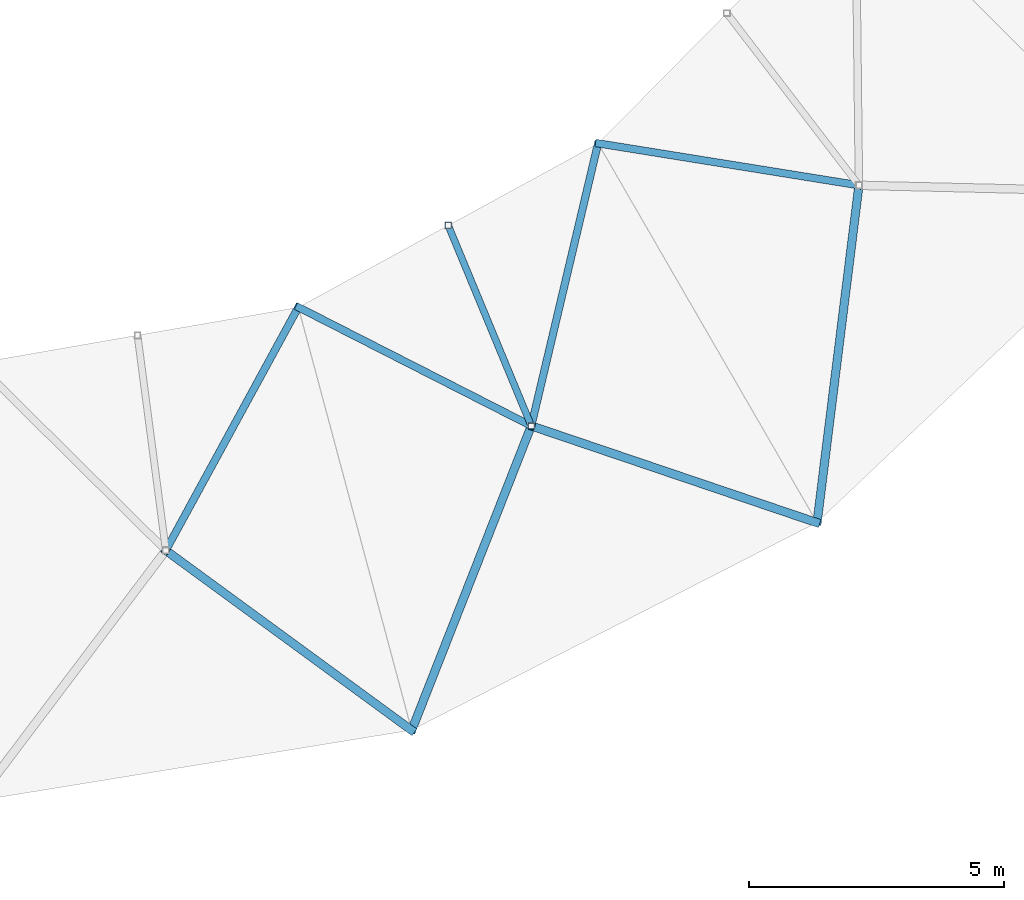
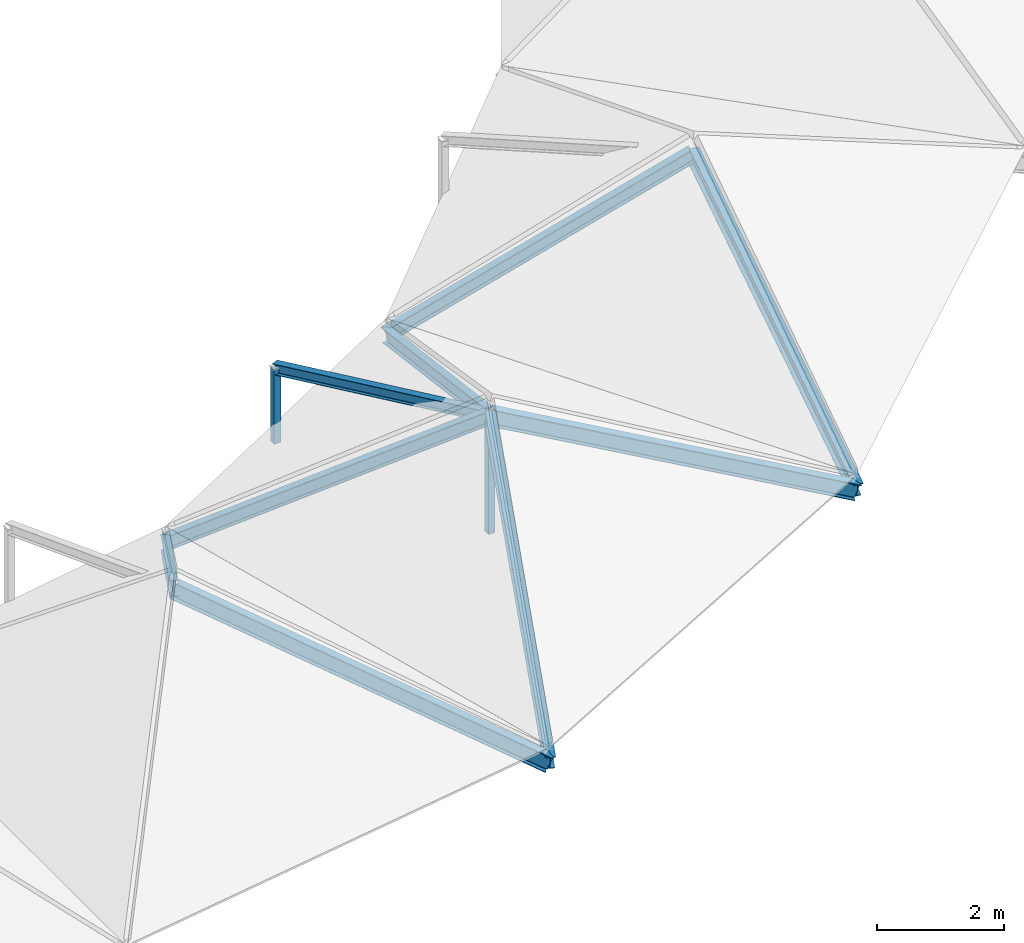
# One storey, part 15 of 66: 11 members.
"""IFC4 building model written with IfcOpenShell, lengths in metres."""

from ifc_helpers import new_model, si_unit, direction, frame, origin, origin_2d, place, context, subcontext, project, spatial, hollow_rectangle, i_section, extrude, material, material_profile, profile_set, type_object, element, save


model = new_model("IFC4")

# Units and contexts
model_context = context("Model", 3, precision=1e-05, world=origin(), true_north=direction((0.0, 1.0)))
body_context = subcontext(model_context, "Body", "Model", "MODEL_VIEW")
ifc_project = project(units=[si_unit("LENGTHUNIT", "METRE"), si_unit("AREAUNIT", "SQUARE_METRE"), si_unit("VOLUMEUNIT", "CUBIC_METRE"), si_unit("PLANEANGLEUNIT", "RADIAN"), si_unit("MASSUNIT", "GRAM", prefix="KILO")], contexts=[model_context])

# Site, building, storey
site_placement = place(None, origin())
site = spatial("IfcSite", under=ifc_project, at=site_placement, CompositionType="ELEMENT")
building_placement = place(site_placement, origin())
building = spatial("IfcBuilding", under=site, at=building_placement, Name="Karori Crest Natural Sciences Institute", CompositionType="ELEMENT")
storey_placement = place(building_placement, frame((0.0, 0.0, 30.10009765625)))
storey = spatial("IfcBuildingStorey", under=building, at=storey_placement, Name="L07", CompositionType="ELEMENT", Elevation=30.10009765625)

# Members
ifc_material_1 = material(Name="Structural steel AS/NZS 3679.1 Grade 350", Category="steel")
ifc_material_profile_1 = material_profile(ifc_material_1, i_section(OverallWidth=0.166015625, OverallDepth=0.306884765625, WebThickness=0.006591796875, FlangeThickness=0.01171875, FilletRadius=0.010986328125, at=origin_2d()), Name="310UB46.2")
ifc_profile_set_1 = profile_set([ifc_material_profile_1], Name="Structural steel AS/NZS 3679.1 Grade 350")
member_type_1 = type_object("IfcMemberType", Name="MT-06", PredefinedType="RAFTER", material=ifc_profile_set_1)
member_1_placement = place(storey_placement, frame((74.94091796875, 10.490234375, -0.260009765625), z_axis=(-0.725568713508, 0.530882454585, 0.437851414742), x_axis=(-0.590494431951, -0.807041712574, 0.0)))
element("IfcMember", 1, at=member_1_placement, inside=storey, type_object=member_type_1, Name="Member M-0158", PredefinedType="RAFTER", context=body_context, shape_type="SweptSolid", body=[
    extrude(i_section(OverallWidth=0.166015625, OverallDepth=0.306884765625, WebThickness=0.006591796875, FlangeThickness=0.01171875, FilletRadius=0.010986328125, at=origin_2d()), origin(), (0.0, 0.0, 1.0), 6.652587890625),
])
member_2_placement = place(storey_placement, frame((74.94091796875, 10.490234375, -0.260009765625), z_axis=(0.344976830862, 0.878044585102, 0.33170573215), x_axis=(-0.930740401966, 0.365680604008, 0.0)))
element("IfcMember", 2, at=member_2_placement, inside=storey, type_object=member_type_1, Name="Member M-0164", PredefinedType="RAFTER", context=body_context, shape_type="SweptSolid", body=[
    extrude(i_section(OverallWidth=0.166015625, OverallDepth=0.306884765625, WebThickness=0.006591796875, FlangeThickness=0.01171875, FilletRadius=0.010986328125, at=origin_2d()), origin(), (0.0, 0.0, 1.0), 6.806640625),
])
member_3_placement = place(storey_placement, frame((82.89990234375, 14.566162109375, -0.260009765625), z_axis=(-0.885033959526, 0.299799381033, 0.35613932894), x_axis=(-0.320835655938, -0.94713488051, 0.0)))
element("IfcMember", 3, at=member_3_placement, inside=storey, type_object=member_type_1, Name="Member M-0165", PredefinedType="RAFTER", context=body_context, shape_type="SweptSolid", body=[
    extrude(i_section(OverallWidth=0.166015625, OverallDepth=0.306884765625, WebThickness=0.006591796875, FlangeThickness=0.01171875, FilletRadius=0.010986328125, at=origin_2d()), origin(), (0.0, 0.0, 1.0), 6.339599609375),
])
member_4_placement = place(storey_placement, frame((82.89990234375, 14.566162109375, -0.260009765625), z_axis=(0.11699123615, 0.942774936279, 0.3122314369), x_axis=(-0.992388330701, 0.123147883001, 0.0)))
element("IfcMember", 4, at=member_4_placement, inside=storey, type_object=member_type_1, Name="Member M-0171", PredefinedType="RAFTER", context=body_context, shape_type="SweptSolid", body=[
    extrude(i_section(OverallWidth=0.166015625, OverallDepth=0.306884765625, WebThickness=0.006591796875, FlangeThickness=0.01171875, FilletRadius=0.010986328125, at=origin_2d()), origin(), (0.0, 0.0, 1.0), 7.0263671875),
])
ifc_material_profile_2 = material_profile(ifc_material_1, i_section(OverallWidth=0.14599609375, OverallDepth=0.256103515625, WebThickness=0.00634765625, FlangeThickness=0.010986328125, FilletRadius=0.009033203125, at=origin_2d()), Name="250UB37.3")
ifc_profile_set_2 = profile_set([ifc_material_profile_2], Name="Structural steel AS/NZS 3679.1 Grade 350")
member_type_2 = type_object("IfcMemberType", Name="MT-07", PredefinedType="RAFTER", material=ifc_profile_set_2)
member_5_placement = place(storey_placement, frame((72.715087890625, 18.797119140625, -0.260009765625), z_axis=(-0.421660118064, -0.77409895337, 0.472200757332), x_axis=(0.878169967294, -0.478348731098, 0.0)))
element("IfcMember", 5, at=member_5_placement, inside=storey, type_object=member_type_2, Name="Member M-0160", PredefinedType="RAFTER", context=body_context, shape_type="SweptSolid", body=[
    extrude(i_section(OverallWidth=0.14599609375, OverallDepth=0.256103515625, WebThickness=0.00634765625, FlangeThickness=0.010986328125, FilletRadius=0.009033203125, at=origin_2d()), origin(), (0.0, 0.0, 1.0), 6.168701171875),
])
member_6_placement = place(storey_placement, frame((72.715087890625, 18.797119140625, -0.260009765625), z_axis=(0.815619919241, -0.41553734343, 0.402607580098), x_axis=(0.453954279176, 0.89102497856, 0.0)))
element("IfcMember", 6, at=member_6_placement, inside=storey, type_object=member_type_2, Name="Member M-0166", PredefinedType="RAFTER", context=body_context, shape_type="SweptSolid", body=[
    extrude(i_section(OverallWidth=0.14599609375, OverallDepth=0.256103515625, WebThickness=0.00634765625, FlangeThickness=0.010986328125, FilletRadius=0.009033203125, at=origin_2d()), origin(), (0.0, 0.0, 1.0), 5.60791015625),
])
member_7_placement = place(storey_placement, frame((78.60009765625, 22.013916015625, -0.260009765625), z_axis=(-0.213843055904, -0.904791075083, 0.368271989013), x_axis=(0.973188622273, -0.230008490014, 0.0)))
element("IfcMember", 7, at=member_7_placement, inside=storey, type_object=member_type_2, Name="Member M-0167", PredefinedType="RAFTER", context=body_context, shape_type="SweptSolid", body=[
    extrude(i_section(OverallWidth=0.14599609375, OverallDepth=0.256103515625, WebThickness=0.00634765625, FlangeThickness=0.010986328125, FilletRadius=0.009033203125, at=origin_2d()), origin(), (0.0, 0.0, 1.0), 6.130859375),
])
member_8_placement = place(storey_placement, frame((78.60009765625, 22.013916015625, -0.260009765625), z_axis=(0.909346691988, -0.146204604227, 0.389503283007), x_axis=(0.158741176405, 0.987320231188, 0.0)))
element("IfcMember", 8, at=member_8_placement, inside=storey, type_object=member_type_2, Name="Member M-0173", PredefinedType="RAFTER", context=body_context, shape_type="SweptSolid", body=[
    extrude(i_section(OverallWidth=0.14599609375, OverallDepth=0.256103515625, WebThickness=0.00634765625, FlangeThickness=0.010986328125, FilletRadius=0.009033203125, at=origin_2d()), origin(), (0.0, 0.0, 1.0), 5.63232421875),
])
ifc_material_profile_3 = material_profile(ifc_material_1, i_section(OverallWidth=0.133056640625, OverallDepth=0.202880859375, WebThickness=0.005859375, FlangeThickness=0.0078125, FilletRadius=0.009033203125, at=origin_2d()), Name="200UB25.4")
ifc_profile_set_3 = profile_set([ifc_material_profile_3], Name="Structural steel AS/NZS 3679.1 Grade 350")
member_type_3 = type_object("IfcMemberType", Name="MT-09", PredefinedType="PURLIN", material=ifc_profile_set_3)
member_9_placement = place(storey_placement, frame((75.65771484375, 20.405517578125, 1.10400390625), z_axis=(0.374516190105, -0.904230723581, 0.205193620469), x_axis=(0.923889805527, 0.38265863017, 0.0)))
element("IfcMember", 9, at=member_9_placement, inside=storey, type_object=member_type_3, Name="Member M-0168", PredefinedType="PURLIN", context=body_context, shape_type="SweptSolid", body=[
    extrude(i_section(OverallWidth=0.133056640625, OverallDepth=0.202880859375, WebThickness=0.005859375, FlangeThickness=0.0078125, FilletRadius=0.009033203125, at=origin_2d()), origin(), (0.0, 0.0, 1.0), 4.35595703125),
])
ifc_material_2 = material(Name="Hollow structural steel AS/NZS 1163 Grade C350", Category="steel")
ifc_material_profile_4 = material_profile(ifc_material_2, hollow_rectangle(XDim=0.125, YDim=0.125, WallThickness=0.006103515625, at=origin_2d()), Name="SHS125x125x6")
ifc_profile_set_4 = profile_set([ifc_material_profile_4], Name="Hollow structural steel AS/NZS 1163 Grade C350")
member_type_4 = type_object("IfcMemberType", Name="MT-20", PredefinedType="STRUT", material=ifc_profile_set_4)
member_10_placement = place(storey_placement, frame((77.2890625, 16.466796875, -0.2451171875), z_axis=(0.0, 0.0, 1.0), x_axis=(1.0, 0.0, 0.0)))
element("IfcMember", 10, at=member_10_placement, inside=storey, type_object=member_type_4, Name="Member M-0162", PredefinedType="STRUT", context=body_context, shape_type="SweptSolid", body=[
    extrude(hollow_rectangle(XDim=0.125, YDim=0.125, WallThickness=0.006103515625, at=origin_2d()), origin(), (0.0, 0.0, 1.0), 2.242919921875),
])
member_11_placement = place(storey_placement, frame((75.65771484375, 20.405517578125, -0.322998046875), z_axis=(0.0, 0.0, 1.0), x_axis=(1.0, 0.0, 0.0)))
element("IfcMember", 11, at=member_11_placement, inside=storey, type_object=member_type_4, Name="Member M-0163", PredefinedType="STRUT", context=body_context, shape_type="SweptSolid", body=[
    extrude(hollow_rectangle(XDim=0.125, YDim=0.125, WallThickness=0.006103515625, at=origin_2d()), origin(), (0.0, 0.0, 1.0), 1.427001953125),
])

save(model, "model.ifc")
